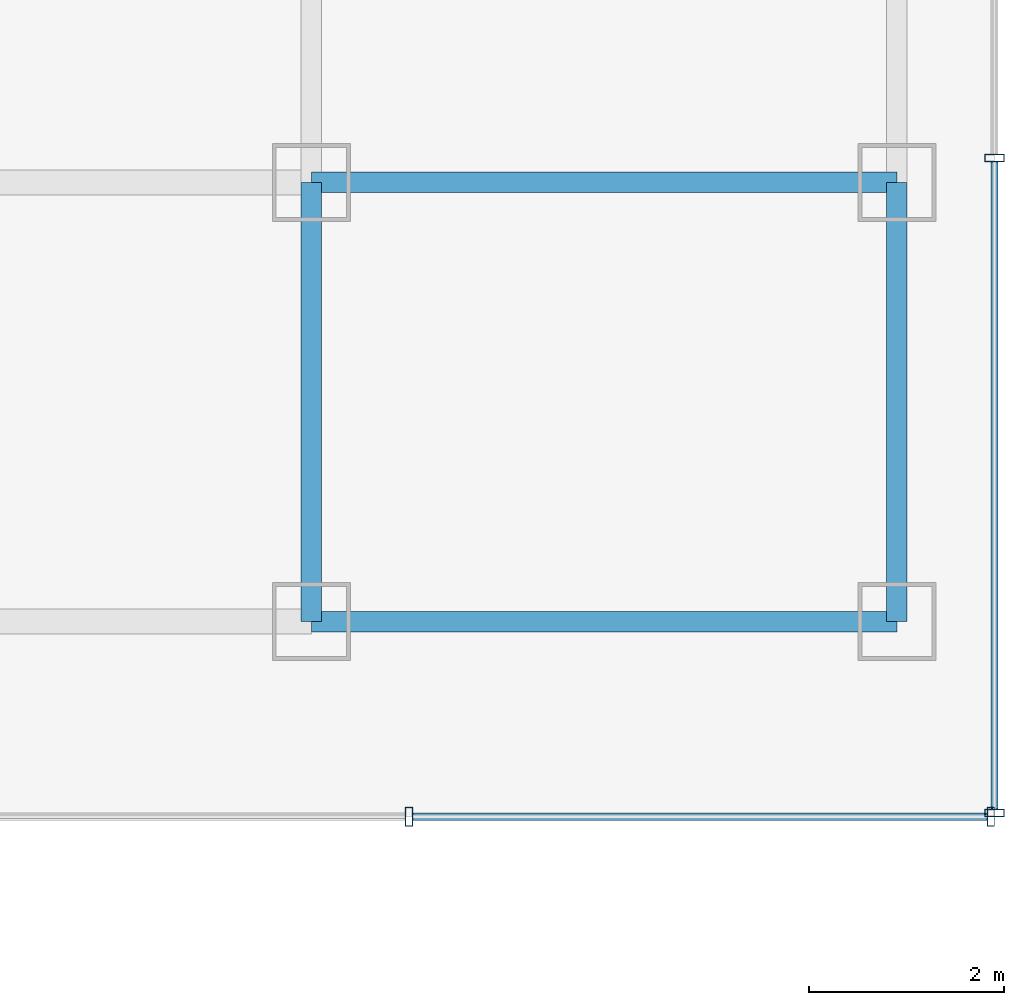
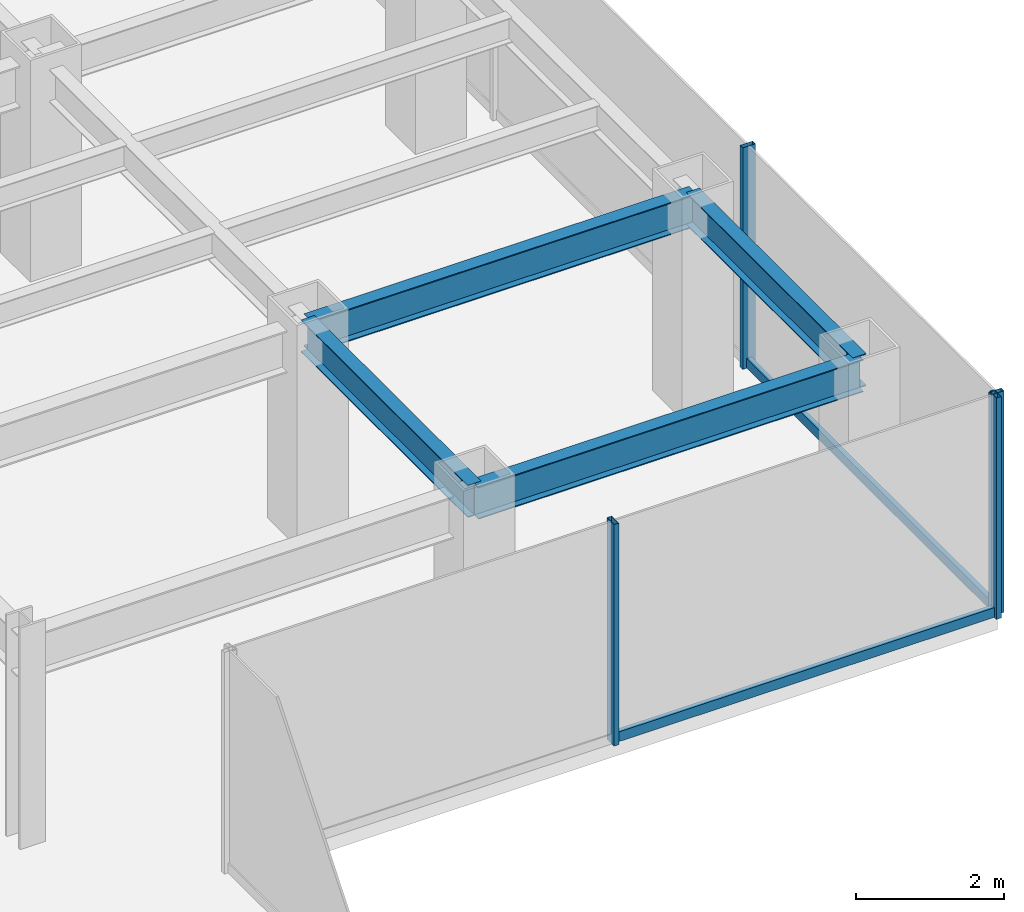
# One storey, part 10 of 26: 6 members, 4 beams, 2 elements without a shape of their own.
"""IFC4 building model written with IfcOpenShell, lengths in metres."""

from ifc_helpers import new_model, si_unit, derived_unit, direction, frame, origin, origin_2d, place, context, subcontext, project, spatial, hollow_rectangle, i_section, extrude, source, transform, mapped, material, material_profile, profile_set, type_object, element, aggregate, save


model = new_model("IFC4")

# Units and contexts
model_context = context("Model", 3, precision=1e-05, world=origin(), true_north=direction((0.0, 1.0)))
body_context = subcontext(model_context, "Body", "Model", "MODEL_VIEW")
ifc_project = project(units=[si_unit("LENGTHUNIT", "METRE"), si_unit("AREAUNIT", "SQUARE_METRE"), si_unit("VOLUMEUNIT", "CUBIC_METRE"), si_unit("PLANEANGLEUNIT", "RADIAN"), si_unit("MASSUNIT", "GRAM", prefix="KILO"), derived_unit("THERMALTRANSMITTANCEUNIT", [(si_unit("POWERUNIT", "WATT"), 1), (si_unit("LENGTHUNIT", "METRE"), -2), (si_unit("THERMODYNAMICTEMPERATUREUNIT", "KELVIN"), -1)])], contexts=[model_context])

# Site, building, storey
site_placement = place(None, origin())
site = spatial("IfcSite", under=ifc_project, at=site_placement, CompositionType="ELEMENT")
building_placement = place(site_placement, origin())
building = spatial("IfcBuilding", under=site, at=building_placement, Name="Skarnbrae Concourse Arena and Tower", CompositionType="ELEMENT")
storey_placement = place(building_placement, frame((0.0, 0.0, 121.5)))
storey = spatial("IfcBuildingStorey", under=building, at=storey_placement, Name="L30", CompositionType="ELEMENT", Elevation=121.5)

# Beams
ifc_material_1 = material(Name="Steel CSA G40.21 350W", Category="steel")
ifc_material_profile_1 = material_profile(ifc_material_1, i_section(OverallWidth=0.208984375, OverallDepth=0.532958984375, WebThickness=0.01025390625, FlangeThickness=0.015625, at=origin_2d()), Name="W530X92")
ifc_profile_set_1 = profile_set([ifc_material_profile_1], Name="Steel CSA G40.21 350W")
beam_type = type_object("IfcBeamType", Name="BM-SPAN-W530X92", PredefinedType="SPANDREL", material=ifc_profile_set_1)
shared_shape_1 = source(origin(), body_context, "Body", "SweptSolid", [
    extrude(i_section(OverallWidth=0.208984375, OverallDepth=0.532958984375, WebThickness=0.01025390625, FlangeThickness=0.015625, at=origin_2d()), origin(), (0.0, 0.0, 1.0), 6.0),
])
for number, where, z_axis, x_axis, name in (
    (1, (49.0, 9.5, 3.133544921875), (1.0, 0.0, 0.0), (0.0, 1.0, 0.0), "L30 Perimeter spandrel Y9.5-3"),
    (2, (49.0, 14.0, 3.133544921875), (1.0, 0.0, 0.0), (0.0, 1.0, 0.0), "L30 Perimeter spandrel Y14.0-8"),
):
    element("IfcBeam", number, at=place(storey_placement, frame(where, z_axis=z_axis, x_axis=x_axis)), inside=storey, type_object=beam_type, Name=name, PredefinedType="SPANDREL", context=body_context, shape_type="MappedRepresentation", body=[
        mapped(shared_shape_1, transform((0.0, 0.0, 0.0))),
    ])
shared_shape_2 = source(origin(), body_context, "Body", "SweptSolid", [
    extrude(i_section(OverallWidth=0.208984375, OverallDepth=0.532958984375, WebThickness=0.01025390625, FlangeThickness=0.015625, at=origin_2d()), origin(), (0.0, 0.0, 1.0), 4.5),
])
for number, where, z_axis, x_axis, name in (
    (3, (49.0, 9.5, 3.133544921875), (0.0, 1.0, 0.0), (-1.0, 0.0, 0.0), "L30 Perimeter spandrel X49.0-1"),
    (4, (55.0, 9.5, 3.133544921875), (0.0, 1.0, 0.0), (-1.0, 0.0, 0.0), "L30 Perimeter spandrel X55.0-1"),
):
    element("IfcBeam", number, at=place(storey_placement, frame(where, z_axis=z_axis, x_axis=x_axis)), inside=storey, type_object=beam_type, Name=name, PredefinedType="SPANDREL", context=body_context, shape_type="MappedRepresentation", body=[
        mapped(shared_shape_2, transform((0.0, 0.0, 0.0))),
    ])

# Curtain wall, members
ifc_material_2 = material(Name="Bronze anodised aluminium 6063-T6", Category="aluminium")
curtain_wall_type = type_object("IfcCurtainWallType", Name="CW-SYS-04-MIDZONE", PredefinedType="USERDEFINED", material=ifc_material_2)
curtain_wall_1_placement = place(storey_placement, origin())
curtain_wall_1 = element("IfcCurtainWall", 5, at=curtain_wall_1_placement, inside=storey, type_object=curtain_wall_type, Name="L30 Unitised curtain wall CW-L30-E03", ObjectType="UNITISED CURTAIN WALL", PredefinedType="USERDEFINED")
ifc_material_profile_2 = material_profile(ifc_material_2, hollow_rectangle(XDim=0.074951171875, YDim=0.159912109375, WallThickness=0.00439453125, at=origin_2d()), Name="ALU-TRAN-75X160")
ifc_profile_set_2 = profile_set([ifc_material_profile_2], Name="Bronze anodised aluminium 6063-T6")
member_type_1 = type_object("IfcMemberType", Name="CWT-CW-04", PredefinedType="USERDEFINED", material=ifc_profile_set_2)
shared_shape_3 = source(origin(), body_context, "Body", "SweptSolid", [
    extrude(hollow_rectangle(XDim=0.074951171875, YDim=0.159912109375, WallThickness=0.00439453125, at=origin_2d()), origin(), (0.0, 0.0, 1.0), 5.887451171875),
])
member_1_placement = place(storey_placement, frame((50.03759765625, 7.5, 0.080078125), z_axis=(1.0, 0.0, 0.0), x_axis=(0.0, 1.0, 0.0)))
member_1 = element("IfcMember", 6, at=member_1_placement, type_object=member_type_1, Name="CW-L30-E03 Transom 2", ObjectType="TRANSOM", PredefinedType="USERDEFINED", context=body_context, shape_type="MappedRepresentation", body=[
    mapped(shared_shape_3, transform((0.0, 0.0, 0.0))),
])
ifc_material_profile_3 = material_profile(ifc_material_2, hollow_rectangle(XDim=0.074951171875, YDim=0.195068359375, WallThickness=0.00439453125, at=origin_2d()), Name="ALU-MULL-75X195")
ifc_profile_set_3 = profile_set([ifc_material_profile_3], Name="Bronze anodised aluminium 6063-T6")
member_type_2 = type_object("IfcMemberType", Name="CWM-CW-04", PredefinedType="MULLION", material=ifc_profile_set_3)
shared_shape_4 = source(origin(), body_context, "Body", "SweptSolid", [
    extrude(hollow_rectangle(XDim=0.074951171875, YDim=0.195068359375, WallThickness=0.00439453125, at=origin_2d()), origin(), (0.0, 0.0, 1.0), 3.64990234375),
])
member_2_placement = place(storey_placement, frame((50.0, 7.5, 0.0), z_axis=(0.0, 0.0, 1.0), x_axis=(1.0, 0.0, 0.0)))
member_2 = element("IfcMember", 7, at=member_2_placement, type_object=member_type_2, Name="CW-L30-E03 Mullion 2", PredefinedType="MULLION", context=body_context, shape_type="MappedRepresentation", body=[
    mapped(shared_shape_4, transform((0.0, 0.0, 0.0))),
])
member_3_placement = place(storey_placement, frame((55.96240234375, 7.5, 0.0), z_axis=(0.0, 0.0, 1.0), x_axis=(1.0, 0.0, 0.0)))
member_3 = element("IfcMember", 8, at=member_3_placement, type_object=member_type_2, Name="CW-L30-E03 Mullion 3", PredefinedType="MULLION", context=body_context, shape_type="MappedRepresentation", body=[
    mapped(shared_shape_4, transform((0.0, 0.0, 0.0))),
])
aggregate(curtain_wall_1, [member_2, member_3, member_1])

curtain_wall_2_placement = place(storey_placement, origin())
curtain_wall_2 = element("IfcCurtainWall", 9, at=curtain_wall_2_placement, inside=storey, type_object=curtain_wall_type, Name="L30 Unitised curtain wall CW-L30-E04", ObjectType="UNITISED CURTAIN WALL", PredefinedType="USERDEFINED")
member_4_placement = place(storey_placement, frame((56.0, 7.53759765625, 0.0), z_axis=(0.0, 0.0, 1.0), x_axis=(0.0, 1.0, 0.0)))
member_4 = element("IfcMember", 10, at=member_4_placement, type_object=member_type_2, Name="CW-L30-E04 Mullion 1", PredefinedType="MULLION", context=body_context, shape_type="MappedRepresentation", body=[
    mapped(shared_shape_4, transform((0.0, 0.0, 0.0))),
])
member_5_placement = place(storey_placement, frame((56.0, 14.25, 0.0), z_axis=(0.0, 0.0, 1.0), x_axis=(0.0, 1.0, 0.0)))
member_5 = element("IfcMember", 11, at=member_5_placement, type_object=member_type_2, Name="CW-L30-E04 Mullion 2", PredefinedType="MULLION", context=body_context, shape_type="MappedRepresentation", body=[
    mapped(shared_shape_4, transform((0.0, 0.0, 0.0))),
])
shared_shape_5 = source(origin(), body_context, "Body", "SweptSolid", [
    extrude(hollow_rectangle(XDim=0.074951171875, YDim=0.159912109375, WallThickness=0.00439453125, at=origin_2d()), origin(), (0.0, 0.0, 1.0), 6.637451171875),
])
member_6_placement = place(storey_placement, frame((56.0, 7.574951171875, 0.080078125), z_axis=(0.0, 1.0, 0.0), x_axis=(-1.0, 0.0, 0.0)))
member_6 = element("IfcMember", 12, at=member_6_placement, type_object=member_type_1, Name="CW-L30-E04 Transom 1", ObjectType="TRANSOM", PredefinedType="USERDEFINED", context=body_context, shape_type="MappedRepresentation", body=[
    mapped(shared_shape_5, transform((0.0, 0.0, 0.0))),
])
aggregate(curtain_wall_2, [member_4, member_5, member_6])

save(model, "model.ifc")
